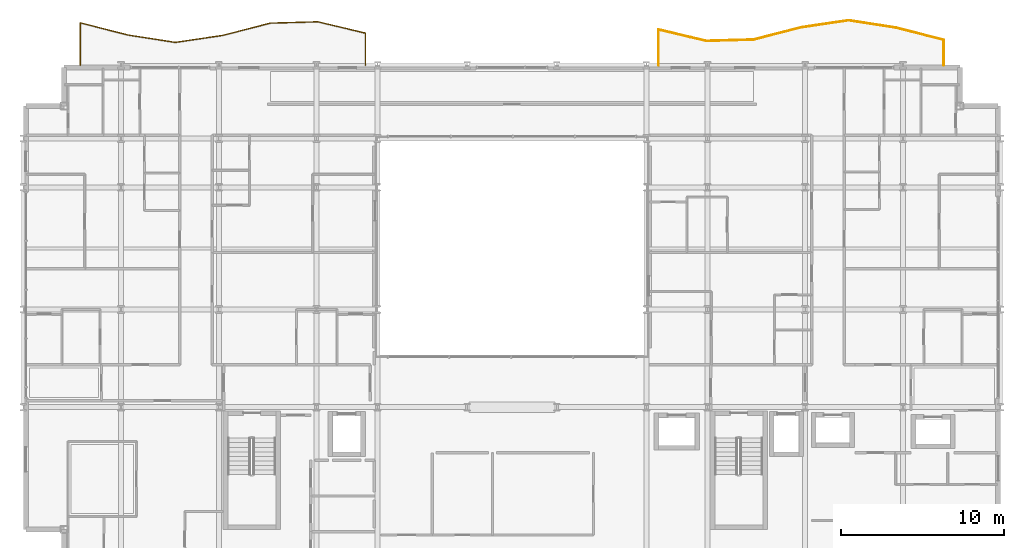
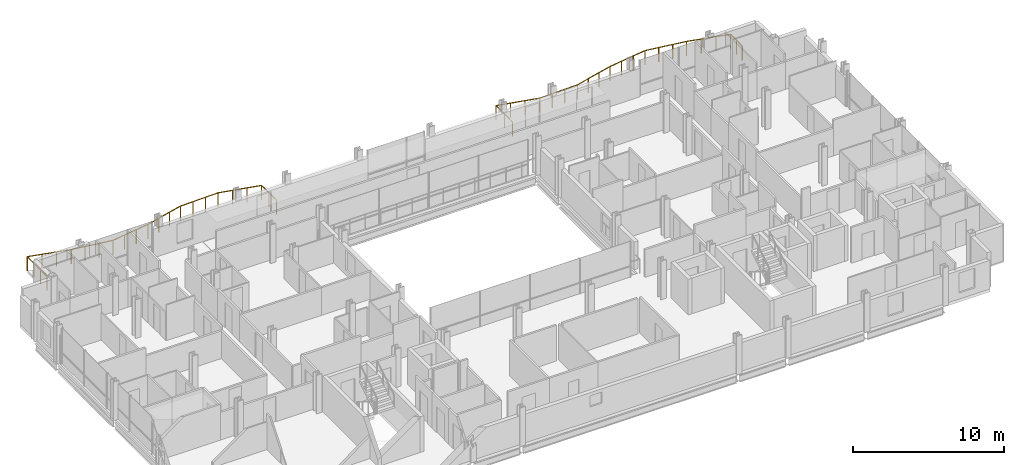
# One storey, part 41 of 41: 2 railings.
"""IFC4 building model written with IfcOpenShell, lengths in metres."""

import ifcopenshell
import ifcopenshell.guid

model = None  # the IFC model being written
_history = None  # IfcOwnerHistory: only IFC2X3 demands one
_inside = {}  # id of a spatial element -> (the spatial element, [elements in it])
_under = {}  # id of a project, library or spatial element -> (it, [spatial elements below it])
_declared = {}  # id of a project -> (the project, [libraries it declares])
_typed = {}  # id of a type object -> (the type object, [elements of that type])
_made_of = {}  # id of a material, layer set ... -> (it, [elements and type objects made of it])


def new_model(schema):
    """Start an empty IFC model of exactly this schema.

    Asked for "IFC4X3", IfcOpenShell would pick the latest addendum, in which some entities
    have other attributes; the version numbers below select the first issue.
    IFC2X3 requires an IfcOwnerHistory on every rooted entity: one is made here for all.
    """
    global model, _history
    if schema == "IFC4X3":
        model = ifcopenshell.file(schema_version=(4, 3, 0, 0))
    else:
        model = ifcopenshell.file(schema=schema)
    _inside.clear()
    _under.clear()
    _declared.clear()
    _typed.clear()
    _made_of.clear()
    _history = None
    if model.schema == "IFC2X3":
        org = make("IfcOrganization", Name="unknown")
        user = make(
            "IfcPersonAndOrganization",
            ThePerson=make("IfcPerson", FamilyName="unknown"),
            TheOrganization=org,
        )
        app = make(
            "IfcApplication",
            ApplicationDeveloper=org,
            Version="unknown",
            ApplicationFullName="unknown",
            ApplicationIdentifier="unknown",
        )
        _history = make(
            "IfcOwnerHistory",
            OwningUser=user,
            OwningApplication=app,
            ChangeAction="ADDED",
            CreationDate=0,
        )
    return model


def make(cls, **values):
    """One entity of the class cls with the attributes given. An attribute that is None is left unset."""
    return model.create_entity(
        cls, **{name: value for name, value in values.items() if value is not None}
    )


def rooted(cls, **values):
    """An entity with a GlobalId (a new one), such as an element, a storey or a relation."""
    return make(cls, GlobalId=ifcopenshell.guid.new(), OwnerHistory=_history, **values)


def si_unit(unit_type, name, prefix=None):
    """IfcSIUnit, for example si_unit("LENGTHUNIT", "METRE", prefix="MILLI")."""
    return make("IfcSIUnit", UnitType=unit_type, Prefix=prefix, Name=name)


def assignment(units):
    """IfcUnitAssignment: the units of a project."""
    return None if units is None else make("IfcUnitAssignment", Units=units)


def point(xyz):
    """IfcCartesianPoint."""
    return None if xyz is None else make("IfcCartesianPoint", Coordinates=xyz)


def direction(xyz):
    """IfcDirection."""
    return None if xyz is None else make("IfcDirection", DirectionRatios=xyz)


def frame(location, z_axis=None, x_axis=None):
    """IfcAxis2Placement3D, a coordinate frame: its origin and axes. An axis left out is left unset."""
    return make(
        "IfcAxis2Placement3D",
        Location=point(location),
        Axis=direction(z_axis),
        RefDirection=direction(x_axis),
    )


def frame_2d(location, x_axis=None):
    """IfcAxis2Placement2D, a coordinate frame in the plane: its origin and x axis."""
    return make(
        "IfcAxis2Placement2D", Location=point(location), RefDirection=direction(x_axis)
    )


def origin():
    """The frame at (0, 0, 0) with its axes left unset."""
    return frame((0.0, 0.0, 0.0))


def origin_2d():
    """The frame at (0, 0) in the plane with its x axis left unset."""
    return frame_2d((0.0, 0.0))


def place(relative_to, where):
    """IfcLocalPlacement: puts the frame where relative to a parent placement (None: the world)."""
    return make(
        "IfcLocalPlacement", PlacementRelTo=relative_to, RelativePlacement=where
    )


def context(
    kind, dimensions, precision=None, world=None, true_north=None, identifier=None
):
    """IfcGeometricRepresentationContext, for example the 3D "Model" context."""
    return make(
        "IfcGeometricRepresentationContext",
        ContextIdentifier=identifier,
        ContextType=kind,
        CoordinateSpaceDimension=dimensions,
        Precision=precision,
        WorldCoordinateSystem=world,
        TrueNorth=true_north,
    )


def subcontext(parent, identifier, kind, view, scale=None):
    """IfcGeometricRepresentationSubContext, for example "Body" below "Model"."""
    return make(
        "IfcGeometricRepresentationSubContext",
        ContextIdentifier=identifier,
        ContextType=kind,
        ParentContext=parent,
        TargetScale=scale,
        TargetView=view,
    )


def project(units=None, contexts=None):
    """IfcProject with its units and contexts."""
    return rooted(
        "IfcProject",
        Name="project",
        RepresentationContexts=contexts,
        UnitsInContext=assignment(units),
    )


def spatial(cls, under=None, at=None, **own):
    """A site, building, storey or space (cls), placed at a placement, below another one or the project."""
    s = rooted(cls, ObjectPlacement=at, **own)
    if under is not None:
        _under.setdefault(under.id(), (under, []))[1].append(s)
    return s


def profile(cls, at=None, kind="AREA", **sizes):
    """A parametric profile (cls). Its sizes go by their IFC names, for example OverallWidth=200.0."""
    return make(cls, ProfileType=kind, Position=at, **sizes)


def circle(**sizes):
    """IfcCircleProfileDef."""
    return profile("IfcCircleProfileDef", **sizes)


def extrude(swept, where, along, depth):
    """IfcExtrudedAreaSolid: the profile swept, set in the frame where, extruded along a direction by depth."""
    return make(
        "IfcExtrudedAreaSolid",
        SweptArea=swept,
        Position=where,
        ExtrudedDirection=direction(along),
        Depth=depth,
    )


def shape(context_of_items, identifier, shape_type, items):
    """IfcShapeRepresentation: the items that make up one representation, for example the "Body"."""
    return make(
        "IfcShapeRepresentation",
        ContextOfItems=context_of_items,
        RepresentationIdentifier=identifier,
        RepresentationType=shape_type,
        Items=items,
    )


def material(Name=None, Category=None):
    """IfcMaterial."""
    return make("IfcMaterial", Name=Name, Category=Category)


def made_of(thing, what):
    """Note that an element or type object is made of a material, layer set ...; save() writes the relation."""
    if what is not None:
        _made_of.setdefault(what.id(), (what, []))[1].append(thing)
    return thing


def type_object(cls, material=None, **own):
    """A type object (cls), such as IfcWallType, which elements share."""
    return made_of(rooted(cls, **own), material)


def element(
    cls,
    number,
    at=None,
    inside=None,
    cuts=None,
    type_object=None,
    material=None,
    context=None,
    identifier="Body",
    shape_type=None,
    held_by="IfcProductDefinitionShape",
    body=None,
    shapes=None,
    **own,
):
    """One element of the class cls, such as IfcWall. Its Tag is "e" and its number.

    at: its placement. inside: the storey or other place that contains it. cuts: it is an
    opening in that element (IfcRelVoidsElement). A single representation is given by context,
    identifier, shape_type and body (its items); several are given by shapes. held_by: the class
    of the entity that holds the representations. save() writes the other relations.
    """
    e = rooted(cls, Tag="e%d" % number, ObjectPlacement=at, **own)
    if body is not None:
        shapes = [shape(context, identifier, shape_type, body)]
    if shapes is not None:
        e.Representation = make(held_by, Representations=shapes)
    if inside is not None:
        _inside.setdefault(inside.id(), (inside, []))[1].append(e)
    if cuts is not None:
        rooted(
            "IfcRelVoidsElement", RelatingBuildingElement=cuts, RelatedOpeningElement=e
        )
    if type_object is not None:
        _typed.setdefault(type_object.id(), (type_object, []))[1].append(e)
    return made_of(e, material)


def aggregate(whole, parts):
    """IfcRelAggregates: a whole, such as a stair, and the parts it consists of."""
    return rooted("IfcRelAggregates", RelatingObject=whole, RelatedObjects=parts)


def save(model, path):
    """Write the relations noted so far, then the file.

    IfcRelAggregates (storeys below a building ...), IfcRelContainedInSpatialStructure (elements
    in a storey), IfcRelDefinesByType, IfcRelAssociatesMaterial and IfcRelDeclares: one each for
    every whole, place, type object, material and project.
    """
    for whole, parts in _under.values():
        aggregate(whole, parts)
    for where, things in _inside.values():
        rooted(
            "IfcRelContainedInSpatialStructure",
            RelatedElements=things,
            RelatingStructure=where,
        )
    for kind, things in _typed.values():
        rooted("IfcRelDefinesByType", RelatedObjects=things, RelatingType=kind)
    for what, things in _made_of.values():
        rooted("IfcRelAssociatesMaterial", RelatedObjects=things, RelatingMaterial=what)
    for by, libraries in _declared.values():
        rooted("IfcRelDeclares", RelatingContext=by, RelatedDefinitions=libraries)
    model.write(path)


model = new_model("IFC4")

# Units and contexts
model_context = context("Model", 3, precision=1e-05, world=origin(), true_north=direction((0.0, 1.0)))
body_context = subcontext(model_context, "Body", "Model", "MODEL_VIEW")
ifc_project = project(units=[si_unit("LENGTHUNIT", "METRE"), si_unit("AREAUNIT", "SQUARE_METRE"), si_unit("VOLUMEUNIT", "CUBIC_METRE"), si_unit("PLANEANGLEUNIT", "RADIAN"), si_unit("MASSUNIT", "GRAM", prefix="KILO")], contexts=[model_context])

# Site, building, storey
site_placement = place(None, origin())
site = spatial("IfcSite", under=ifc_project, at=site_placement, CompositionType="ELEMENT")
building_placement = place(site_placement, origin())
building = spatial("IfcBuilding", under=site, at=building_placement, Name="Brevholm Reach", CompositionType="ELEMENT")
storey_placement = place(building_placement, frame((0.0, 0.0, 55.89990234375)))
storey = spatial("IfcBuildingStorey", under=building, at=storey_placement, Name="L15", CompositionType="ELEMENT", Elevation=55.89990234375)

# Railings
ifc_material = material(Name="Brushed Stainless Steel EN 1.4401 and Laminated Glass", Category="steel")
railing_type = type_object("IfcRailingType", Name="RAL-BALC-1150", PredefinedType="BALUSTRADE", material=ifc_material)
railing_1_placement = place(storey_placement, frame((56.5, 31.0, 0.0)))
element("IfcRailing", 1, at=railing_1_placement, inside=storey, type_object=railing_type, Name="L15 Guard Balustrade RAL-L15-BAL-NE", PredefinedType="BALUSTRADE", context=body_context, shape_type="SweptSolid", body=[
    extrude(circle(Radius=0.02392578125, at=origin_2d()), frame((0.0, 0.0, 1.1259765625), z_axis=(0.0, 1.0, 0.0), x_axis=(-1.0, 0.0, 0.0)), (0.0, 0.0, 1.0), 1.55029296875),
    extrude(circle(Radius=0.02392578125, at=origin_2d()), frame((0.0, 1.55029296875, 1.1259765625), z_axis=(-0.968923500885, 0.24736056564, 0.0), x_axis=(-0.24736056564, -0.968923500885, 0.0)), (0.0, 0.0, 1.0), 3.01025390625),
    extrude(circle(Radius=0.02392578125, at=origin_2d()), frame((-2.916748046875, 2.294921875, 1.1259765625), z_axis=(-0.988044338858, 0.154169985571, 0.0), x_axis=(-0.154169985571, -0.988044338858, 0.0)), (0.0, 0.0, 1.0), 2.951904296875),
    extrude(circle(Radius=0.02392578125, at=origin_2d()), frame((-5.833251953125, 2.75, 1.1259765625), z_axis=(-0.989154508095, -0.146878722471, 0.0), x_axis=(0.146878722471, -0.989154508095, 0.0)), (0.0, 0.0, 1.0), 2.94873046875),
    extrude(circle(Radius=0.02392578125, at=origin_2d()), frame((-8.75, 2.31689453125, 1.1259765625), z_axis=(-0.968396782901, -0.249414656482, 0.0), x_axis=(0.249414656482, -0.968396782901, 0.0)), (0.0, 0.0, 1.0), 3.011962890625),
    extrude(circle(Radius=0.02392578125, at=origin_2d()), frame((-11.666748046875, 1.565673828125, 1.1259765625), z_axis=(-0.999614033457, -0.027781002771, 0.0), x_axis=(0.027781002771, -0.999614033457, 0.0)), (0.0, 0.0, 1.0), 2.917724609375),
    extrude(circle(Radius=0.02392578125, at=origin_2d()), frame((-14.583251953125, 1.484619140625, 1.1259765625), z_axis=(-0.972687280988, 0.232119480882, 0.0), x_axis=(-0.232119480882, -0.972687280988, 0.0)), (0.0, 0.0, 1.0), 2.99853515625),
    extrude(circle(Radius=0.02392578125, at=origin_2d()), frame((-17.5, 2.1806640625, 1.1259765625), z_axis=(0.0, -1.0, 0.0), x_axis=(1.0, 0.0, 0.0)), (0.0, 0.0, 1.0), 2.1806640625),
    extrude(circle(Radius=0.02099609375, at=origin_2d()), origin(), (0.0, 0.0, 1.0), 1.101806640625),
    extrude(circle(Radius=0.02099609375, at=origin_2d()), frame((0.0, 0.775146484375, 0.0)), (0.0, 0.0, 1.0), 1.101806640625),
    extrude(circle(Radius=0.02099609375, at=origin_2d()), frame((0.0, 1.55029296875, 0.0)), (0.0, 0.0, 1.0), 1.101806640625),
    extrude(circle(Radius=0.02099609375, at=origin_2d()), frame((-0.97216796875, 1.798583984375, 0.0)), (0.0, 0.0, 1.0), 1.101806640625),
    extrude(circle(Radius=0.02099609375, at=origin_2d()), frame((-1.944580078125, 2.046630859375, 0.0)), (0.0, 0.0, 1.0), 1.101806640625),
    extrude(circle(Radius=0.02099609375, at=origin_2d()), frame((-2.916748046875, 2.294921875, 0.0)), (0.0, 0.0, 1.0), 1.101806640625),
    extrude(circle(Radius=0.02099609375, at=origin_2d()), frame((-3.888916015625, 2.446533203125, 0.0)), (0.0, 0.0, 1.0), 1.101806640625),
    extrude(circle(Radius=0.02099609375, at=origin_2d()), frame((-4.861083984375, 2.598388671875, 0.0)), (0.0, 0.0, 1.0), 1.101806640625),
    extrude(circle(Radius=0.02099609375, at=origin_2d()), frame((-5.833251953125, 2.75, 0.0)), (0.0, 0.0, 1.0), 1.101806640625),
    extrude(circle(Radius=0.02099609375, at=origin_2d()), frame((-6.805419921875, 2.605712890625, 0.0)), (0.0, 0.0, 1.0), 1.101806640625),
    extrude(circle(Radius=0.02099609375, at=origin_2d()), frame((-7.77783203125, 2.461181640625, 0.0)), (0.0, 0.0, 1.0), 1.101806640625),
    extrude(circle(Radius=0.02099609375, at=origin_2d()), frame((-8.75, 2.31689453125, 0.0)), (0.0, 0.0, 1.0), 1.101806640625),
    extrude(circle(Radius=0.02099609375, at=origin_2d()), frame((-9.72216796875, 2.06640625, 0.0)), (0.0, 0.0, 1.0), 1.101806640625),
    extrude(circle(Radius=0.02099609375, at=origin_2d()), frame((-10.694580078125, 1.816162109375, 0.0)), (0.0, 0.0, 1.0), 1.101806640625),
    extrude(circle(Radius=0.02099609375, at=origin_2d()), frame((-11.666748046875, 1.565673828125, 0.0)), (0.0, 0.0, 1.0), 1.101806640625),
    extrude(circle(Radius=0.02099609375, at=origin_2d()), frame((-12.638916015625, 1.53857421875, 0.0)), (0.0, 0.0, 1.0), 1.101806640625),
    extrude(circle(Radius=0.02099609375, at=origin_2d()), frame((-13.611083984375, 1.51171875, 0.0)), (0.0, 0.0, 1.0), 1.101806640625),
    extrude(circle(Radius=0.02099609375, at=origin_2d()), frame((-14.583251953125, 1.484619140625, 0.0)), (0.0, 0.0, 1.0), 1.101806640625),
    extrude(circle(Radius=0.02099609375, at=origin_2d()), frame((-15.555419921875, 1.716552734375, 0.0)), (0.0, 0.0, 1.0), 1.101806640625),
    extrude(circle(Radius=0.02099609375, at=origin_2d()), frame((-16.52783203125, 1.94873046875, 0.0)), (0.0, 0.0, 1.0), 1.101806640625),
    extrude(circle(Radius=0.02099609375, at=origin_2d()), frame((-17.5, 2.1806640625, 0.0)), (0.0, 0.0, 1.0), 1.101806640625),
    extrude(circle(Radius=0.02099609375, at=origin_2d()), frame((-17.5, 1.09033203125, 0.0)), (0.0, 0.0, 1.0), 1.101806640625),
    extrude(circle(Radius=0.02099609375, at=origin_2d()), frame((-17.5, 0.0, 0.0)), (0.0, 0.0, 1.0), 1.101806640625),
])
railing_2_placement = place(storey_placement, frame((21.0, 31.0, 0.0)))
element("IfcRailing", 2, at=railing_2_placement, inside=storey, type_object=railing_type, Name="L15 Guard Balustrade RAL-L15-BAL-NW", PredefinedType="BALUSTRADE", context=body_context, shape_type="SweptSolid", body=[
    extrude(circle(Radius=0.02392578125, at=origin_2d()), frame((0.0, 0.0, 1.1259765625), z_axis=(0.0, 1.0, 0.0), x_axis=(-1.0, 0.0, 0.0)), (0.0, 0.0, 1.0), 1.969482421875),
    extrude(circle(Radius=0.02392578125, at=origin_2d()), frame((0.0, 1.969482421875, 1.1259765625), z_axis=(-0.972705660557, 0.23204244853, 0.0), x_axis=(-0.23204244853, -0.972705660557, 0.0)), (0.0, 0.0, 1.0), 2.99853515625),
    extrude(circle(Radius=0.02392578125, at=origin_2d()), frame((-2.916748046875, 2.665283203125, 1.1259765625), z_axis=(-0.99961635372, -0.027697389342, 0.0), x_axis=(0.027697389342, -0.99961635372, 0.0)), (0.0, 0.0, 1.0), 2.917724609375),
    extrude(circle(Radius=0.02392578125, at=origin_2d()), frame((-5.833251953125, 2.58447265625, 1.1259765625), z_axis=(-0.968377202247, -0.2494906695, 0.0), x_axis=(0.2494906695, -0.968377202247, 0.0)), (0.0, 0.0, 1.0), 3.011962890625),
    extrude(circle(Radius=0.02392578125, at=origin_2d()), frame((-8.75, 1.8330078125, 1.1259765625), z_axis=(-0.98916653389, -0.146797711943, 0.0), x_axis=(0.146797711943, -0.98916653389, 0.0)), (0.0, 0.0, 1.0), 2.94873046875),
    extrude(circle(Radius=0.02392578125, at=origin_2d()), frame((-11.666748046875, 1.400146484375, 1.1259765625), z_axis=(-0.988044338858, 0.154169985571, 0.0), x_axis=(-0.154169985571, -0.988044338858, 0.0)), (0.0, 0.0, 1.0), 2.951904296875),
    extrude(circle(Radius=0.02392578125, at=origin_2d()), frame((-14.583251953125, 1.855224609375, 1.1259765625), z_axis=(-0.968942936238, 0.247284423921, 0.0), x_axis=(-0.247284423921, -0.968942936238, 0.0)), (0.0, 0.0, 1.0), 3.01025390625),
    extrude(circle(Radius=0.02392578125, at=origin_2d()), frame((-17.5, 2.599609375, 1.1259765625), z_axis=(0.0, -1.0, 0.0), x_axis=(1.0, 0.0, 0.0)), (0.0, 0.0, 1.0), 2.599609375),
    extrude(circle(Radius=0.02099609375, at=origin_2d()), origin(), (0.0, 0.0, 1.0), 1.101806640625),
    extrude(circle(Radius=0.02099609375, at=origin_2d()), frame((0.0, 0.98486328125, 0.0)), (0.0, 0.0, 1.0), 1.101806640625),
    extrude(circle(Radius=0.02099609375, at=origin_2d()), frame((0.0, 1.969482421875, 0.0)), (0.0, 0.0, 1.0), 1.101806640625),
    extrude(circle(Radius=0.02099609375, at=origin_2d()), frame((-0.97216796875, 2.201416015625, 0.0)), (0.0, 0.0, 1.0), 1.101806640625),
    extrude(circle(Radius=0.02099609375, at=origin_2d()), frame((-1.944580078125, 2.433349609375, 0.0)), (0.0, 0.0, 1.0), 1.101806640625),
    extrude(circle(Radius=0.02099609375, at=origin_2d()), frame((-2.916748046875, 2.665283203125, 0.0)), (0.0, 0.0, 1.0), 1.101806640625),
    extrude(circle(Radius=0.02099609375, at=origin_2d()), frame((-3.888916015625, 2.638427734375, 0.0)), (0.0, 0.0, 1.0), 1.101806640625),
    extrude(circle(Radius=0.02099609375, at=origin_2d()), frame((-4.861083984375, 2.611328125, 0.0)), (0.0, 0.0, 1.0), 1.101806640625),
    extrude(circle(Radius=0.02099609375, at=origin_2d()), frame((-5.833251953125, 2.58447265625, 0.0)), (0.0, 0.0, 1.0), 1.101806640625),
    extrude(circle(Radius=0.02099609375, at=origin_2d()), frame((-6.805419921875, 2.333984375, 0.0)), (0.0, 0.0, 1.0), 1.101806640625),
    extrude(circle(Radius=0.02099609375, at=origin_2d()), frame((-7.77783203125, 2.08349609375, 0.0)), (0.0, 0.0, 1.0), 1.101806640625),
    extrude(circle(Radius=0.02099609375, at=origin_2d()), frame((-8.75, 1.8330078125, 0.0)), (0.0, 0.0, 1.0), 1.101806640625),
    extrude(circle(Radius=0.02099609375, at=origin_2d()), frame((-9.72216796875, 1.688720703125, 0.0)), (0.0, 0.0, 1.0), 1.101806640625),
    extrude(circle(Radius=0.02099609375, at=origin_2d()), frame((-10.694580078125, 1.54443359375, 0.0)), (0.0, 0.0, 1.0), 1.101806640625),
    extrude(circle(Radius=0.02099609375, at=origin_2d()), frame((-11.666748046875, 1.400146484375, 0.0)), (0.0, 0.0, 1.0), 1.101806640625),
    extrude(circle(Radius=0.02099609375, at=origin_2d()), frame((-12.638916015625, 1.5517578125, 0.0)), (0.0, 0.0, 1.0), 1.101806640625),
    extrude(circle(Radius=0.02099609375, at=origin_2d()), frame((-13.611083984375, 1.70361328125, 0.0)), (0.0, 0.0, 1.0), 1.101806640625),
    extrude(circle(Radius=0.02099609375, at=origin_2d()), frame((-14.583251953125, 1.855224609375, 0.0)), (0.0, 0.0, 1.0), 1.101806640625),
    extrude(circle(Radius=0.02099609375, at=origin_2d()), frame((-15.555419921875, 2.103271484375, 0.0)), (0.0, 0.0, 1.0), 1.101806640625),
    extrude(circle(Radius=0.02099609375, at=origin_2d()), frame((-16.52783203125, 2.3515625, 0.0)), (0.0, 0.0, 1.0), 1.101806640625),
    extrude(circle(Radius=0.02099609375, at=origin_2d()), frame((-17.5, 2.599609375, 0.0)), (0.0, 0.0, 1.0), 1.101806640625),
    extrude(circle(Radius=0.02099609375, at=origin_2d()), frame((-17.5, 1.733154296875, 0.0)), (0.0, 0.0, 1.0), 1.101806640625),
    extrude(circle(Radius=0.02099609375, at=origin_2d()), frame((-17.5, 0.866455078125, 0.0)), (0.0, 0.0, 1.0), 1.101806640625),
    extrude(circle(Radius=0.02099609375, at=origin_2d()), frame((-17.5, 0.0, 0.0)), (0.0, 0.0, 1.0), 1.101806640625),
])

save(model, "model.ifc")
